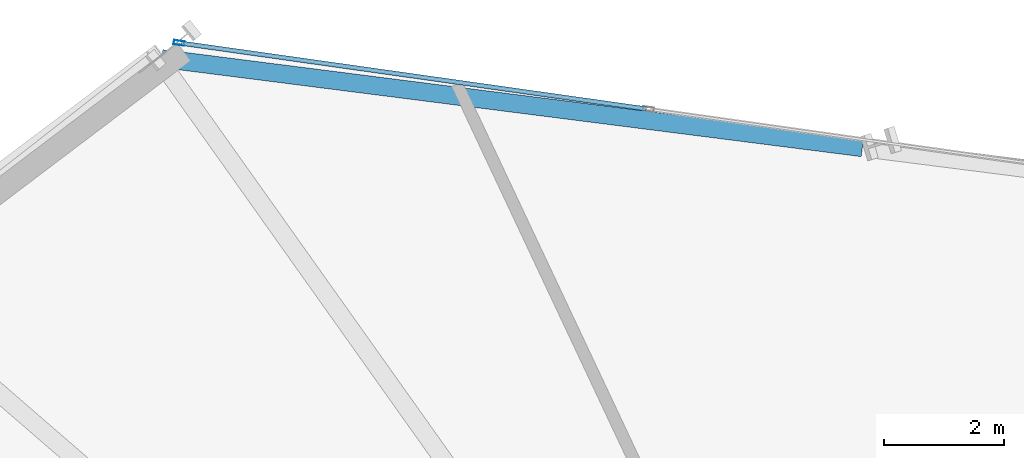
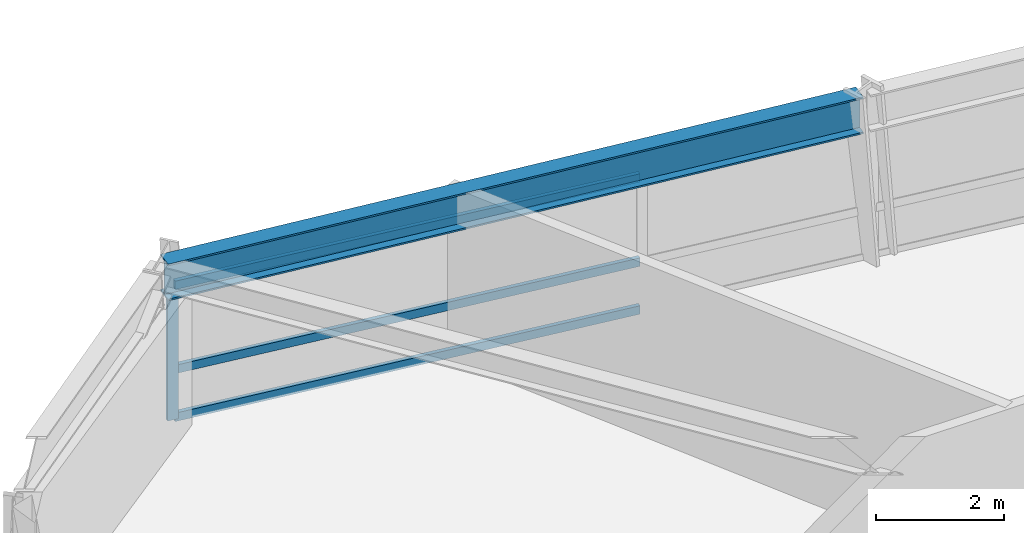
# One storey, part 8 of 21: 4 members, 1 beam, 1 element without a shape of its own.
"""IFC4 building model written with IfcOpenShell, lengths in metres."""

from ifc_helpers import new_model, si_unit, direction, frame, origin, origin_2d, place, context, subcontext, project, spatial, hollow_rectangle, i_section, extrude, source, transform, mapped, material, material_profile, profile_set, type_object, element, aggregate, save


model = new_model("IFC4")

# Units and contexts
model_context = context("Model", 3, precision=1e-05, world=origin(), true_north=direction((0.0, 1.0)))
body_context = subcontext(model_context, "Body", "Model", "MODEL_VIEW")
ifc_project = project(units=[si_unit("LENGTHUNIT", "METRE"), si_unit("AREAUNIT", "SQUARE_METRE"), si_unit("VOLUMEUNIT", "CUBIC_METRE"), si_unit("PLANEANGLEUNIT", "RADIAN"), si_unit("MASSUNIT", "GRAM", prefix="KILO")], contexts=[model_context])

# Site, building, storey
site_placement = place(None, origin())
site = spatial("IfcSite", under=ifc_project, at=site_placement, CompositionType="ELEMENT")
building_placement = place(site_placement, origin())
building = spatial("IfcBuilding", under=site, at=building_placement, Name="Olszyna Solenne Hotel", CompositionType="ELEMENT")
storey_placement = place(building_placement, frame((0.0, 0.0, 54.14990234375)))
storey = spatial("IfcBuildingStorey", under=building, at=storey_placement, Name="L13", CompositionType="ELEMENT", Elevation=54.14990234375)

# Beam
ifc_material_1 = material(Name="Steel S355J2", Category="steel")
ifc_material_profile_1 = material_profile(ifc_material_1, i_section(OverallWidth=0.300048828125, OverallDepth=0.699951171875, WebThickness=0.01708984375, FlangeThickness=0.031982421875, at=origin_2d()), Name="HEB 700", Category="load-bearing")
ifc_profile_set_1 = profile_set([ifc_material_profile_1], Name="Steel S355J2")
beam_type = type_object("IfcBeamType", Name="BM-S1", PredefinedType="BEAM", material=ifc_profile_set_1)
shared_shape_1 = source(origin(), body_context, "Body", "SweptSolid", [
    extrude(i_section(OverallWidth=0.300048828125, OverallDepth=0.699951171875, WebThickness=0.01708984375, FlangeThickness=0.031982421875, at=origin_2d()), origin(), (0.0, 0.0, 1.0), 11.780517578125),
])
beam_placement = place(storey_placement, frame((35.58154296875, 45.042236328125, 2.9501953125), z_axis=(-0.991990548134, 0.126312122984, 0.0), x_axis=(-0.126312122984, -0.991990548134, 0.0)))
element("IfcBeam", 1, at=beam_placement, inside=storey, type_object=beam_type, Name="Perimeter spandrel beam BM-S1 B-L13-0409", PredefinedType="BEAM", context=body_context, shape_type="MappedRepresentation", body=[
    mapped(shared_shape_1, transform((0.0, 0.0, 0.0), x_axis=(1.0, 0.0, 0.0), y_axis=(0.0, 1.0, 0.0), z_axis=(0.0, 0.0, 1.0), scale=1.0)),
])

# Curtain wall, members
ifc_material_2 = material(Name="Anodised bronze aluminium", Category="aluminium")
curtain_wall_type = type_object("IfcCurtainWallType", Name="CW-SYS-2", PredefinedType="NOTDEFINED", material=ifc_material_2)
curtain_wall_placement = place(storey_placement, origin())
curtain_wall = element("IfcCurtainWall", 2, at=curtain_wall_placement, inside=storey, type_object=curtain_wall_type, Name="Unitised curtain wall CW-SYS-2 CW-L13-02", PredefinedType="NOTDEFINED")
ifc_material_profile_2 = material_profile(ifc_material_2, hollow_rectangle(XDim=0.074951171875, YDim=0.179931640625, WallThickness=0.00439453125, at=origin_2d()), Name="MULL 180x75x4.5", Category="load-bearing")
ifc_profile_set_2 = profile_set([ifc_material_profile_2], Name="Anodised bronze aluminium")
member_type_1 = type_object("IfcMemberType", Name="CW-M2", PredefinedType="MULLION", material=ifc_profile_set_2)
shared_shape_2 = source(origin(), body_context, "Body", "SweptSolid", [
    extrude(hollow_rectangle(XDim=0.074951171875, YDim=0.179931640625, WallThickness=0.00439453125, at=origin_2d()), origin(), (0.0, 0.0, 1.0), 2.592041015625),
])
member_1_placement = place(storey_placement, frame((24.185546875, 46.791015625, 0.0), z_axis=(0.0, 0.0, 1.0), x_axis=(0.140005008144, 0.990150795432, 0.0)))
member_1 = element("IfcMember", 3, at=member_1_placement, type_object=member_type_1, Name="Curtain-wall mullion CW-M2 CM-L13-02-01", PredefinedType="MULLION", context=body_context, shape_type="MappedRepresentation", body=[
    mapped(shared_shape_2, transform((0.0, 0.0, 0.0), x_axis=(1.0, 0.0, 0.0), y_axis=(0.0, 1.0, 0.0), z_axis=(0.0, 0.0, 1.0), scale=1.0)),
])
ifc_material_profile_3 = material_profile(ifc_material_2, hollow_rectangle(XDim=0.074951171875, YDim=0.159912109375, WallThickness=0.00390625, at=origin_2d()), Name="TRAN 160x75x4", Category="load-bearing")
ifc_profile_set_3 = profile_set([ifc_material_profile_3], Name="Anodised bronze aluminium")
member_type_2 = type_object("IfcMemberType", Name="CW-T1", PredefinedType="USERDEFINED", material=ifc_profile_set_3)
shared_shape_3 = source(origin(), body_context, "Body", "SweptSolid", [
    extrude(hollow_rectangle(XDim=0.074951171875, YDim=0.159912109375, WallThickness=0.00390625, at=origin_2d()), origin(), (0.0, 0.0, 1.0), 7.832275390625),
])
member_2_placement = place(storey_placement, frame((24.22265625, 46.785888671875, 0.03759765625), z_axis=(0.990148620726, -0.140020387354, 0.0), x_axis=(0.140020387354, 0.990148620726, 0.0)))
member_2 = element("IfcMember", 4, at=member_2_placement, type_object=member_type_2, Name="Curtain-wall transom CW-T1 CT-L13-02-01", ObjectType="TRANSOM", PredefinedType="USERDEFINED", context=body_context, shape_type="MappedRepresentation", body=[
    mapped(shared_shape_3, transform((0.0, 0.0, 0.0), x_axis=(1.0, 0.0, 0.0), y_axis=(0.0, 1.0, 0.0), z_axis=(0.0, 0.0, 1.0), scale=1.0)),
])
member_3_placement = place(storey_placement, frame((24.22265625, 46.785888671875, 0.9501953125), z_axis=(0.990148620726, -0.140020387354, 0.0), x_axis=(0.140020387354, 0.990148620726, 0.0)))
member_3 = element("IfcMember", 5, at=member_3_placement, type_object=member_type_2, Name="Curtain-wall transom CW-T1 CT-L13-02-02", ObjectType="TRANSOM", PredefinedType="USERDEFINED", context=body_context, shape_type="MappedRepresentation", body=[
    mapped(shared_shape_3, transform((0.0, 0.0, 0.0), x_axis=(1.0, 0.0, 0.0), y_axis=(0.0, 1.0, 0.0), z_axis=(0.0, 0.0, 1.0), scale=1.0)),
])
member_4_placement = place(storey_placement, frame((24.22265625, 46.785888671875, 2.5546875), z_axis=(0.990148620726, -0.140020387354, 0.0), x_axis=(0.140020387354, 0.990148620726, 0.0)))
member_4 = element("IfcMember", 6, at=member_4_placement, type_object=member_type_2, Name="Curtain-wall transom CW-T1 CT-L13-02-03", ObjectType="TRANSOM", PredefinedType="USERDEFINED", context=body_context, shape_type="MappedRepresentation", body=[
    mapped(shared_shape_3, transform((0.0, 0.0, 0.0), x_axis=(1.0, 0.0, 0.0), y_axis=(0.0, 1.0, 0.0), z_axis=(0.0, 0.0, 1.0), scale=1.0)),
])
aggregate(curtain_wall, [member_1, member_2, member_3, member_4])

save(model, "model.ifc")
